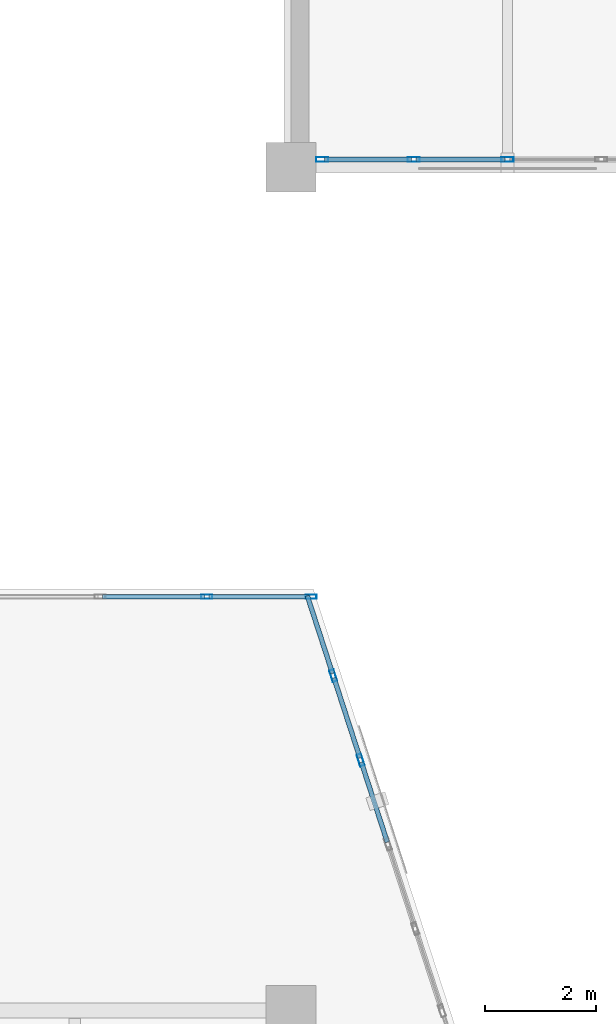
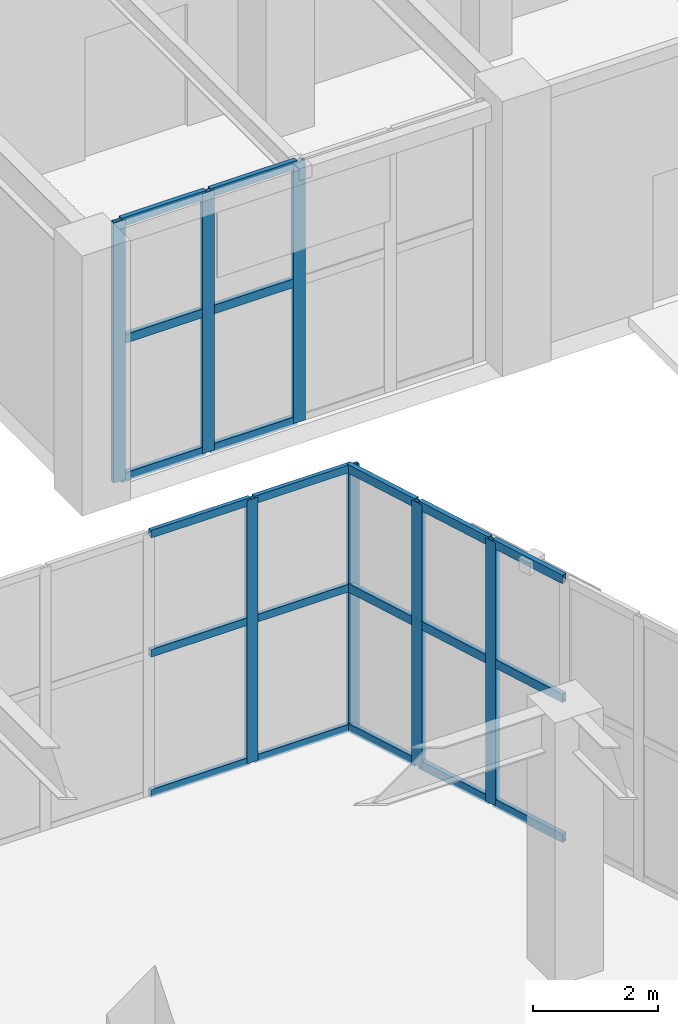
# One storey, part 73 of 139: 28 members, 3 elements without a shape of their own.
"""IFC4 building model written with IfcOpenShell, lengths in metres."""

from ifc_helpers import new_model, si_unit, direction, frame, origin, origin_2d, place, context, subcontext, project, spatial, hollow_rectangle, extrude, material, layer, layer_set, material_profile, profile_set, type_object, element, aggregate, save


model = new_model("IFC4")

# Units and contexts
model_context = context("Model", 3, precision=1e-05, world=origin(), true_north=direction((0.0, 1.0)))
body_context = subcontext(model_context, "Body", "Model", "MODEL_VIEW")
ifc_project = project(units=[si_unit("LENGTHUNIT", "METRE"), si_unit("AREAUNIT", "SQUARE_METRE"), si_unit("VOLUMEUNIT", "CUBIC_METRE"), si_unit("PLANEANGLEUNIT", "RADIAN"), si_unit("MASSUNIT", "GRAM", prefix="KILO")], contexts=[model_context])

# Site, building, storey
site_placement = place(None, origin())
site = spatial("IfcSite", under=ifc_project, at=site_placement, CompositionType="ELEMENT")
building_placement = place(site_placement, origin())
building = spatial("IfcBuilding", under=site, at=building_placement, Name="Xicomal Pleat Aquarium", CompositionType="ELEMENT")
storey_placement = place(building_placement, origin())
storey = spatial("IfcBuildingStorey", under=building, at=storey_placement, Name="L01", CompositionType="ELEMENT", Elevation=0.0)

# Curtain wall, members
ifc_material_1 = material(Name="Bronze anodized aluminium 6063-T6", Category="aluminium")
ifc_layer_1 = layer(ifc_material_1, 0.159912109375)
ifc_layer_set_1 = layer_set([ifc_layer_1], Name="Bronze anodized aluminium 6063-T6")
curtain_wall_type_1 = type_object("IfcCurtainWallType", Name="CW-SYS-06", PredefinedType="NOTDEFINED", material=ifc_layer_set_1)
curtain_wall_1_placement = place(storey_placement, origin())
curtain_wall_1 = element("IfcCurtainWall", 1, at=curtain_wall_1_placement, inside=storey, type_object=curtain_wall_type_1, Name="L01 unitised curtain wall CW-L01-043", PredefinedType="NOTDEFINED")
ifc_material_2 = material(Name="Bronze anodized aluminium 6063-T6", Category="aluminium")
ifc_material_profile_1 = material_profile(ifc_material_2, hollow_rectangle(XDim=0.074951171875, YDim=0.199951171875, WallThickness=0.00439453125, at=origin_2d()), Name="ALU MULL 75x200")
ifc_profile_set_1 = profile_set([ifc_material_profile_1], Name="Bronze anodized aluminium 6063-T6")
member_type_1 = type_object("IfcMemberType", Name="CWM-75x200", PredefinedType="MULLION", material=ifc_profile_set_1)
member_1_placement = place(storey_placement, frame((124.47998046875, 68.260009765625, 0.0), z_axis=(0.0, 0.0, 1.0), x_axis=(0.0, 1.0, 0.0)))
member_1 = element("IfcMember", 2, at=member_1_placement, type_object=member_type_1, Name="CW-06 mullion 4", PredefinedType="MULLION", context=body_context, shape_type="SweptSolid", body=[
    extrude(hollow_rectangle(XDim=0.074951171875, YDim=0.199951171875, WallThickness=0.00439453125, at=origin_2d()), origin(), (0.0, 0.0, 1.0), 5.159912109375),
])
member_2_placement = place(storey_placement, frame((126.362548828125, 68.260009765625, 0.0), z_axis=(0.0, 0.0, 1.0), x_axis=(0.0, 1.0, 0.0)))
member_2 = element("IfcMember", 3, at=member_2_placement, type_object=member_type_1, Name="CW-06 mullion 5", PredefinedType="MULLION", context=body_context, shape_type="SweptSolid", body=[
    extrude(hollow_rectangle(XDim=0.074951171875, YDim=0.199951171875, WallThickness=0.00439453125, at=origin_2d()), origin(), (0.0, 0.0, 1.0), 5.159912109375),
])

ifc_material_3 = material(Name="Bronze anodized aluminium 6063-T6", Category="aluminium")
ifc_layer_2 = layer(ifc_material_3, 0.159912109375)
ifc_layer_set_2 = layer_set([ifc_layer_2], Name="Bronze anodized aluminium 6063-T6")
curtain_wall_type_2 = type_object("IfcCurtainWallType", Name="CW-SYS-11", PredefinedType="NOTDEFINED", material=ifc_layer_set_2)
curtain_wall_2_placement = place(storey_placement, origin())
curtain_wall_2 = element("IfcCurtainWall", 4, at=curtain_wall_2_placement, inside=storey, type_object=curtain_wall_type_2, Name="L01 unitised curtain wall CW-L01-044", PredefinedType="NOTDEFINED")
ifc_material_4 = material(Name="Bronze anodized aluminium 6063-T6", Category="aluminium")
ifc_material_profile_2 = material_profile(ifc_material_4, hollow_rectangle(XDim=0.0849609375, YDim=0.219970703125, WallThickness=0.0048828125, at=origin_2d()), Name="ALU MULL 85x220")
ifc_profile_set_2 = profile_set([ifc_material_profile_2], Name="Bronze anodized aluminium 6063-T6")
member_type_2 = type_object("IfcMemberType", Name="CWM-85x220", PredefinedType="MULLION", material=ifc_profile_set_2)
member_3_placement = place(storey_placement, frame((126.760498046875, 66.8369140625, 0.0), z_axis=(0.0, 0.0, 1.0), x_axis=(0.951144372661, 0.308746469381, 0.0)))
member_3 = element("IfcMember", 5, at=member_3_placement, type_object=member_type_2, Name="CW-11 mullion 2", PredefinedType="MULLION", context=body_context, shape_type="SweptSolid", body=[
    extrude(hollow_rectangle(XDim=0.0849609375, YDim=0.219970703125, WallThickness=0.0048828125, at=origin_2d()), origin(), (0.0, 0.0, 1.0), 5.159912109375),
])
member_4_placement = place(storey_placement, frame((127.25390625, 65.31689453125, 0.0), z_axis=(0.0, 0.0, 1.0), x_axis=(0.951144372661, 0.308746469381, 0.0)))
member_4 = element("IfcMember", 6, at=member_4_placement, type_object=member_type_2, Name="CW-11 mullion 3", PredefinedType="MULLION", context=body_context, shape_type="SweptSolid", body=[
    extrude(hollow_rectangle(XDim=0.0849609375, YDim=0.219970703125, WallThickness=0.0048828125, at=origin_2d()), origin(), (0.0, 0.0, 1.0), 5.159912109375),
])

curtain_wall_3_placement = place(storey_placement, origin())
curtain_wall_3 = element("IfcCurtainWall", 7, at=curtain_wall_3_placement, inside=storey, type_object=curtain_wall_type_2, Name="L01 unitised curtain wall CW-L01-068", PredefinedType="NOTDEFINED")
member_5_placement = place(storey_placement, frame((129.89990234375, 76.139892578125, 0.0), z_axis=(0.0, 0.0, 1.0), x_axis=(0.0, -1.0, 0.0)))
member_5 = element("IfcMember", 8, at=member_5_placement, type_object=member_type_2, Name="CW-11 mullion 3", PredefinedType="MULLION", context=body_context, shape_type="SweptSolid", body=[
    extrude(hollow_rectangle(XDim=0.0849609375, YDim=0.219970703125, WallThickness=0.0048828125, at=origin_2d()), origin(), (0.0, 0.0, 1.0), 5.10009765625),
])
member_6_placement = place(storey_placement, frame((128.2099609375, 76.139892578125, 0.0), z_axis=(0.0, 0.0, 1.0), x_axis=(0.0, -1.0, 0.0)))
member_6 = element("IfcMember", 9, at=member_6_placement, type_object=member_type_2, Name="CW-11 mullion 4", PredefinedType="MULLION", context=body_context, shape_type="SweptSolid", body=[
    extrude(hollow_rectangle(XDim=0.0849609375, YDim=0.219970703125, WallThickness=0.0048828125, at=origin_2d()), origin(), (0.0, 0.0, 1.0), 5.10009765625),
])
member_7_placement = place(storey_placement, frame((126.5625, 76.139892578125, 0.0), z_axis=(0.0, 0.0, 1.0), x_axis=(0.0, -1.0, 0.0)))
member_7 = element("IfcMember", 10, at=member_7_placement, type_object=member_type_2, Name="CW-11 mullion 5", PredefinedType="MULLION", context=body_context, shape_type="SweptSolid", body=[
    extrude(hollow_rectangle(XDim=0.0849609375, YDim=0.219970703125, WallThickness=0.0048828125, at=origin_2d()), origin(), (0.0, 0.0, 1.0), 5.10009765625),
])

# Member
ifc_material_5 = material(Name="Bronze anodized aluminium 6063-T6", Category="aluminium")
ifc_material_profile_3 = material_profile(ifc_material_5, hollow_rectangle(XDim=0.074951171875, YDim=0.14990234375, WallThickness=0.00439453125, at=origin_2d()), Name="ALU TRAN 75x150")
ifc_profile_set_3 = profile_set([ifc_material_profile_3], Name="Bronze anodized aluminium 6063-T6")
member_type_3 = type_object("IfcMemberType", Name="CWT-75x150", PredefinedType="USERDEFINED", material=ifc_profile_set_3)
member_8_placement = place(storey_placement, frame((122.597412109375, 68.260009765625, 0.03759765625), z_axis=(1.0, 0.0, 0.0), x_axis=(0.0, 1.0, 0.0)))
member_8 = element("IfcMember", 11, at=member_8_placement, type_object=member_type_3, Name="CW-06 transom 3.1", ObjectType="TRANSOM", PredefinedType="USERDEFINED", context=body_context, shape_type="SweptSolid", body=[
    extrude(hollow_rectangle(XDim=0.074951171875, YDim=0.14990234375, WallThickness=0.00439453125, at=origin_2d()), origin(), (0.0, 0.0, 1.0), 1.844970703125),
])

member_9_placement = place(storey_placement, frame((122.597412109375, 68.260009765625, 2.785888671875), z_axis=(1.0, 0.0, 0.0), x_axis=(0.0, 1.0, 0.0)))
member_9 = element("IfcMember", 12, at=member_9_placement, type_object=member_type_3, Name="CW-06 transom 3.2", ObjectType="TRANSOM", PredefinedType="USERDEFINED", context=body_context, shape_type="SweptSolid", body=[
    extrude(hollow_rectangle(XDim=0.074951171875, YDim=0.14990234375, WallThickness=0.00439453125, at=origin_2d()), origin(), (0.0, 0.0, 1.0), 1.844970703125),
])

member_10_placement = place(storey_placement, frame((122.597412109375, 68.260009765625, 5.12255859375), z_axis=(1.0, 0.0, 0.0), x_axis=(0.0, 1.0, 0.0)))
member_10 = element("IfcMember", 13, at=member_10_placement, type_object=member_type_3, Name="CW-06 transom 3.3", ObjectType="TRANSOM", PredefinedType="USERDEFINED", context=body_context, shape_type="SweptSolid", body=[
    extrude(hollow_rectangle(XDim=0.074951171875, YDim=0.14990234375, WallThickness=0.00439453125, at=origin_2d()), origin(), (0.0, 0.0, 1.0), 1.844970703125),
])

member_11_placement = place(storey_placement, frame((124.517578125, 68.260009765625, 0.03759765625), z_axis=(1.0, 0.0, 0.0), x_axis=(0.0, 1.0, 0.0)))
member_11 = element("IfcMember", 14, at=member_11_placement, type_object=member_type_3, Name="CW-06 transom 4.1", ObjectType="TRANSOM", PredefinedType="USERDEFINED", context=body_context, shape_type="SweptSolid", body=[
    extrude(hollow_rectangle(XDim=0.074951171875, YDim=0.14990234375, WallThickness=0.00439453125, at=origin_2d()), origin(), (0.0, 0.0, 1.0), 1.807373046875),
])

member_12_placement = place(storey_placement, frame((124.517578125, 68.260009765625, 2.785888671875), z_axis=(1.0, 0.0, 0.0), x_axis=(0.0, 1.0, 0.0)))
member_12 = element("IfcMember", 15, at=member_12_placement, type_object=member_type_3, Name="CW-06 transom 4.2", ObjectType="TRANSOM", PredefinedType="USERDEFINED", context=body_context, shape_type="SweptSolid", body=[
    extrude(hollow_rectangle(XDim=0.074951171875, YDim=0.14990234375, WallThickness=0.00439453125, at=origin_2d()), origin(), (0.0, 0.0, 1.0), 1.807373046875),
])

member_13_placement = place(storey_placement, frame((124.517578125, 68.260009765625, 5.12255859375), z_axis=(1.0, 0.0, 0.0), x_axis=(0.0, 1.0, 0.0)))
member_13 = element("IfcMember", 16, at=member_13_placement, type_object=member_type_3, Name="CW-06 transom 4.3", ObjectType="TRANSOM", PredefinedType="USERDEFINED", context=body_context, shape_type="SweptSolid", body=[
    extrude(hollow_rectangle(XDim=0.074951171875, YDim=0.14990234375, WallThickness=0.00439453125, at=origin_2d()), origin(), (0.0, 0.0, 1.0), 1.807373046875),
])

aggregate(curtain_wall_1, [member_1, member_2, member_8, member_9, member_10, member_11, member_12, member_13])

ifc_material_6 = material(Name="Bronze anodized aluminium 6063-T6", Category="aluminium")
ifc_material_profile_4 = material_profile(ifc_material_6, hollow_rectangle(XDim=0.0849609375, YDim=0.169921875, WallThickness=0.0048828125, at=origin_2d()), Name="ALU TRAN 85x170")
ifc_profile_set_4 = profile_set([ifc_material_profile_4], Name="Bronze anodized aluminium 6063-T6")
member_type_4 = type_object("IfcMemberType", Name="CWT-85x170", PredefinedType="USERDEFINED", material=ifc_profile_set_4)
member_14_placement = place(storey_placement, frame((126.293212890625, 68.276123046875, 0.04248046875), z_axis=(0.308797001379, -0.951127968225, 0.0), x_axis=(0.951127968225, 0.308797001379, 0.0)))
member_14 = element("IfcMember", 17, at=member_14_placement, type_object=member_type_4, Name="CW-11 transom 1.1", ObjectType="TRANSOM", PredefinedType="USERDEFINED", context=body_context, shape_type="SweptSolid", body=[
    extrude(hollow_rectangle(XDim=0.0849609375, YDim=0.169921875, WallThickness=0.0048828125, at=origin_2d()), origin(), (0.0, 0.0, 1.0), 1.470458984375),
])

member_15_placement = place(storey_placement, frame((126.293212890625, 68.276123046875, 2.785888671875), z_axis=(0.308797001379, -0.951127968225, 0.0), x_axis=(0.951127968225, 0.308797001379, 0.0)))
member_15 = element("IfcMember", 18, at=member_15_placement, type_object=member_type_4, Name="CW-11 transom 1.2", ObjectType="TRANSOM", PredefinedType="USERDEFINED", context=body_context, shape_type="SweptSolid", body=[
    extrude(hollow_rectangle(XDim=0.0849609375, YDim=0.169921875, WallThickness=0.0048828125, at=origin_2d()), origin(), (0.0, 0.0, 1.0), 1.470458984375),
])

member_16_placement = place(storey_placement, frame((126.293212890625, 68.276123046875, 5.117431640625), z_axis=(0.308797001379, -0.951127968225, 0.0), x_axis=(0.951127968225, 0.308797001379, 0.0)))
member_16 = element("IfcMember", 19, at=member_16_placement, type_object=member_type_4, Name="CW-11 transom 1.3", ObjectType="TRANSOM", PredefinedType="USERDEFINED", context=body_context, shape_type="SweptSolid", body=[
    extrude(hollow_rectangle(XDim=0.0849609375, YDim=0.169921875, WallThickness=0.0048828125, at=origin_2d()), origin(), (0.0, 0.0, 1.0), 1.470458984375),
])

member_17_placement = place(storey_placement, frame((126.7734375, 66.796630859375, 0.04248046875), z_axis=(0.30881244053, -0.95112295555, 0.0), x_axis=(0.95112295555, 0.30881244053, 0.0)))
member_17 = element("IfcMember", 20, at=member_17_placement, type_object=member_type_4, Name="CW-11 transom 2.1", ObjectType="TRANSOM", PredefinedType="USERDEFINED", context=body_context, shape_type="SweptSolid", body=[
    extrude(hollow_rectangle(XDim=0.0849609375, YDim=0.169921875, WallThickness=0.0048828125, at=origin_2d()), origin(), (0.0, 0.0, 1.0), 1.51318359375),
])

member_18_placement = place(storey_placement, frame((126.7734375, 66.796630859375, 2.785888671875), z_axis=(0.30881244053, -0.95112295555, 0.0), x_axis=(0.95112295555, 0.30881244053, 0.0)))
member_18 = element("IfcMember", 21, at=member_18_placement, type_object=member_type_4, Name="CW-11 transom 2.2", ObjectType="TRANSOM", PredefinedType="USERDEFINED", context=body_context, shape_type="SweptSolid", body=[
    extrude(hollow_rectangle(XDim=0.0849609375, YDim=0.169921875, WallThickness=0.0048828125, at=origin_2d()), origin(), (0.0, 0.0, 1.0), 1.51318359375),
])

member_19_placement = place(storey_placement, frame((126.7734375, 66.796630859375, 5.117431640625), z_axis=(0.30881244053, -0.95112295555, 0.0), x_axis=(0.95112295555, 0.30881244053, 0.0)))
member_19 = element("IfcMember", 22, at=member_19_placement, type_object=member_type_4, Name="CW-11 transom 2.3", ObjectType="TRANSOM", PredefinedType="USERDEFINED", context=body_context, shape_type="SweptSolid", body=[
    extrude(hollow_rectangle(XDim=0.0849609375, YDim=0.169921875, WallThickness=0.0048828125, at=origin_2d()), origin(), (0.0, 0.0, 1.0), 1.51318359375),
])

member_20_placement = place(storey_placement, frame((127.266845703125, 65.276611328125, 0.04248046875), z_axis=(0.30881244053, -0.95112295555, 0.0), x_axis=(0.95112295555, 0.30881244053, 0.0)))
member_20 = element("IfcMember", 23, at=member_20_placement, type_object=member_type_4, Name="CW-11 transom 3.1", ObjectType="TRANSOM", PredefinedType="USERDEFINED", context=body_context, shape_type="SweptSolid", body=[
    extrude(hollow_rectangle(XDim=0.0849609375, YDim=0.169921875, WallThickness=0.0048828125, at=origin_2d()), origin(), (0.0, 0.0, 1.0), 1.51318359375),
])

member_21_placement = place(storey_placement, frame((127.266845703125, 65.276611328125, 2.785888671875), z_axis=(0.30881244053, -0.95112295555, 0.0), x_axis=(0.95112295555, 0.30881244053, 0.0)))
member_21 = element("IfcMember", 24, at=member_21_placement, type_object=member_type_4, Name="CW-11 transom 3.2", ObjectType="TRANSOM", PredefinedType="USERDEFINED", context=body_context, shape_type="SweptSolid", body=[
    extrude(hollow_rectangle(XDim=0.0849609375, YDim=0.169921875, WallThickness=0.0048828125, at=origin_2d()), origin(), (0.0, 0.0, 1.0), 1.51318359375),
])

member_22_placement = place(storey_placement, frame((127.266845703125, 65.276611328125, 5.117431640625), z_axis=(0.30881244053, -0.95112295555, 0.0), x_axis=(0.95112295555, 0.30881244053, 0.0)))
member_22 = element("IfcMember", 25, at=member_22_placement, type_object=member_type_4, Name="CW-11 transom 3.3", ObjectType="TRANSOM", PredefinedType="USERDEFINED", context=body_context, shape_type="SweptSolid", body=[
    extrude(hollow_rectangle(XDim=0.0849609375, YDim=0.169921875, WallThickness=0.0048828125, at=origin_2d()), origin(), (0.0, 0.0, 1.0), 1.51318359375),
])

aggregate(curtain_wall_2, [member_3, member_4, member_14, member_15, member_16, member_17, member_18, member_19, member_20, member_21, member_22])

member_23_placement = place(storey_placement, frame((129.857421875, 76.139892578125, 0.04248046875), z_axis=(-1.0, 0.0, 0.0), x_axis=(0.0, -1.0, 0.0)))
member_23 = element("IfcMember", 26, at=member_23_placement, type_object=member_type_4, Name="CW-11 transom 3.1", ObjectType="TRANSOM", PredefinedType="USERDEFINED", context=body_context, shape_type="SweptSolid", body=[
    extrude(hollow_rectangle(XDim=0.0849609375, YDim=0.169921875, WallThickness=0.0048828125, at=origin_2d()), origin(), (0.0, 0.0, 1.0), 1.60498046875),
])

member_24_placement = place(storey_placement, frame((129.857421875, 76.139892578125, 2.75390625), z_axis=(-1.0, 0.0, 0.0), x_axis=(0.0, -1.0, 0.0)))
member_24 = element("IfcMember", 27, at=member_24_placement, type_object=member_type_4, Name="CW-11 transom 3.2", ObjectType="TRANSOM", PredefinedType="USERDEFINED", context=body_context, shape_type="SweptSolid", body=[
    extrude(hollow_rectangle(XDim=0.0849609375, YDim=0.169921875, WallThickness=0.0048828125, at=origin_2d()), origin(), (0.0, 0.0, 1.0), 1.60498046875),
])

member_25_placement = place(storey_placement, frame((129.857421875, 76.139892578125, 5.0576171875), z_axis=(-1.0, 0.0, 0.0), x_axis=(0.0, -1.0, 0.0)))
member_25 = element("IfcMember", 28, at=member_25_placement, type_object=member_type_4, Name="CW-11 transom 3.3", ObjectType="TRANSOM", PredefinedType="USERDEFINED", context=body_context, shape_type="SweptSolid", body=[
    extrude(hollow_rectangle(XDim=0.0849609375, YDim=0.169921875, WallThickness=0.0048828125, at=origin_2d()), origin(), (0.0, 0.0, 1.0), 1.60498046875),
])

member_26_placement = place(storey_placement, frame((128.16748046875, 76.139892578125, 0.04248046875), z_axis=(-1.0, 0.0, 0.0), x_axis=(0.0, -1.0, 0.0)))
member_26 = element("IfcMember", 29, at=member_26_placement, type_object=member_type_4, Name="CW-11 transom 4.1", ObjectType="TRANSOM", PredefinedType="USERDEFINED", context=body_context, shape_type="SweptSolid", body=[
    extrude(hollow_rectangle(XDim=0.0849609375, YDim=0.169921875, WallThickness=0.0048828125, at=origin_2d()), origin(), (0.0, 0.0, 1.0), 1.5625),
])

member_27_placement = place(storey_placement, frame((128.16748046875, 76.139892578125, 2.75390625), z_axis=(-1.0, 0.0, 0.0), x_axis=(0.0, -1.0, 0.0)))
member_27 = element("IfcMember", 30, at=member_27_placement, type_object=member_type_4, Name="CW-11 transom 4.2", ObjectType="TRANSOM", PredefinedType="USERDEFINED", context=body_context, shape_type="SweptSolid", body=[
    extrude(hollow_rectangle(XDim=0.0849609375, YDim=0.169921875, WallThickness=0.0048828125, at=origin_2d()), origin(), (0.0, 0.0, 1.0), 1.5625),
])

member_28_placement = place(storey_placement, frame((128.16748046875, 76.139892578125, 5.0576171875), z_axis=(-1.0, 0.0, 0.0), x_axis=(0.0, -1.0, 0.0)))
member_28 = element("IfcMember", 31, at=member_28_placement, type_object=member_type_4, Name="CW-11 transom 4.3", ObjectType="TRANSOM", PredefinedType="USERDEFINED", context=body_context, shape_type="SweptSolid", body=[
    extrude(hollow_rectangle(XDim=0.0849609375, YDim=0.169921875, WallThickness=0.0048828125, at=origin_2d()), origin(), (0.0, 0.0, 1.0), 1.5625),
])

aggregate(curtain_wall_3, [member_5, member_6, member_7, member_23, member_24, member_25, member_26, member_27, member_28])

save(model, "model.ifc")
